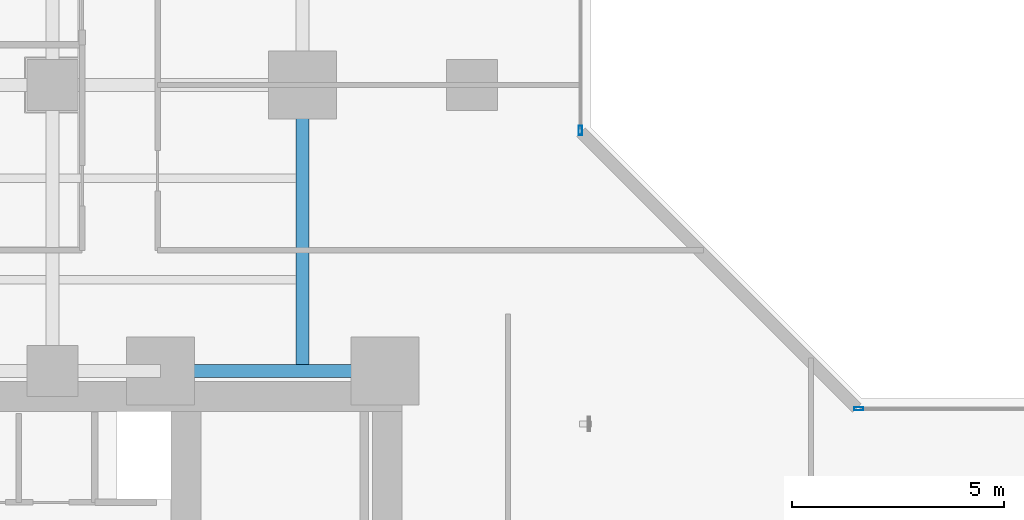
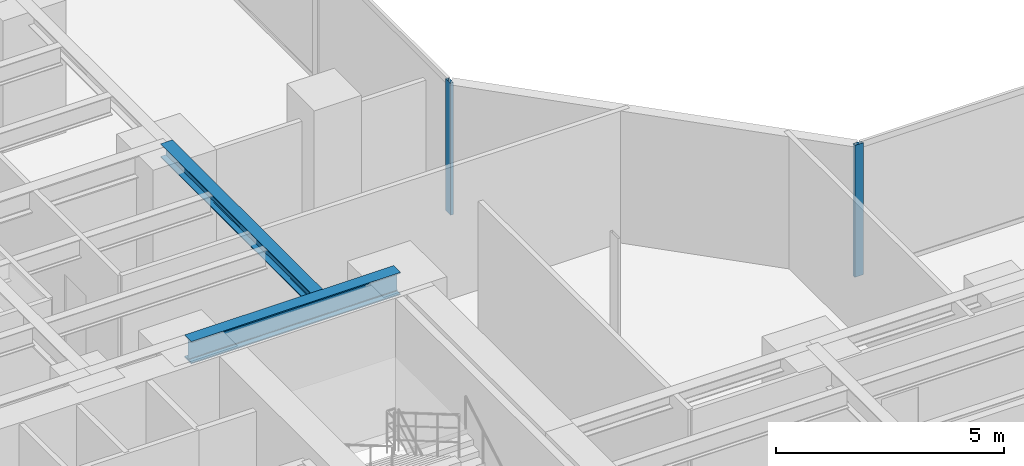
# One storey, part 8 of 26: 2 beams, 2 members, 2 elements without a shape of their own.
"""IFC4 building model written with IfcOpenShell, lengths in metres."""

from ifc_helpers import new_model, si_unit, direction, frame, origin, origin_with_axes, origin_2d, place, context, subcontext, project, spatial, hollow_rectangle, i_section, extrude, source, transform, mapped, material, layer, layer_set, material_profile, profile_set, type_object, element, aggregate, save


model = new_model("IFC4")

# Units and contexts
model_context = context("Model", 3, precision=1e-05, world=origin(), true_north=direction((0.0, 1.0)))
body_context = subcontext(model_context, "Body", "Model", "MODEL_VIEW")
ifc_project = project(units=[si_unit("LENGTHUNIT", "METRE"), si_unit("AREAUNIT", "SQUARE_METRE"), si_unit("VOLUMEUNIT", "CUBIC_METRE"), si_unit("PLANEANGLEUNIT", "RADIAN"), si_unit("MASSUNIT", "GRAM", prefix="KILO")], contexts=[model_context])

# Site, building, storey
site_placement = place(None, origin())
site = spatial("IfcSite", under=ifc_project, at=site_placement, CompositionType="ELEMENT")
building_placement = place(site_placement, origin())
building = spatial("IfcBuilding", under=site, at=building_placement, Name="Kolvaren Waterfront Exchange", CompositionType="ELEMENT")
storey_placement = place(building_placement, frame((0.0, 0.0, 48.60009765625)))
storey = spatial("IfcBuildingStorey", under=building, at=storey_placement, Name="L12", CompositionType="ELEMENT", Elevation=48.60009765625)

# Beams
ifc_material_1 = material(Name="Steel S355", Category="steel")
ifc_material_profile_1 = material_profile(ifc_material_1, i_section(OverallWidth=0.300048828125, OverallDepth=0.360107421875, WebThickness=0.012451171875, FlangeThickness=0.0224609375, FilletRadius=0.027099609375, at=origin_2d()), Name="HEB360")
ifc_profile_set_1 = profile_set([ifc_material_profile_1], Name="Steel S355")
beam_type_1 = type_object("IfcBeamType", Name="STR-BM-HEB360", PredefinedType="SPANDREL", material=ifc_profile_set_1)
beam_1_placement = place(storey_placement, frame((18.800048828125, 24.449951171875, 3.35986328125), z_axis=(0.0, 1.0, 0.0), x_axis=(-1.0, 0.0, 0.0)))
element("IfcBeam", 1, at=beam_1_placement, inside=storey, type_object=beam_type_1, Name="L12 north-arm edge beam 1", PredefinedType="SPANDREL", context=body_context, shape_type="SweptSolid", body=[
    extrude(i_section(OverallWidth=0.300048828125, OverallDepth=0.360107421875, WebThickness=0.012451171875, FlangeThickness=0.0224609375, FilletRadius=0.027099609375, at=origin_2d()), origin(), (0.0, 0.0, 1.0), 6.75),
])
ifc_material_profile_2 = material_profile(ifc_material_1, i_section(OverallWidth=0.300048828125, OverallDepth=0.60009765625, WebThickness=0.015380859375, FlangeThickness=0.030029296875, FilletRadius=0.027099609375, at=origin_2d()), Name="HEB600")
ifc_profile_set_2 = profile_set([ifc_material_profile_2], Name="Steel S355")
beam_type_2 = type_object("IfcBeamType", Name="STR-BM-HEB600", PredefinedType="BEAM", material=ifc_profile_set_2)
beam_2_placement = place(storey_placement, frame((15.449951171875, 24.449951171875, 3.239990234375), z_axis=(1.0, 0.0, 0.0), x_axis=(0.0, 1.0, 0.0)))
element("IfcBeam", 2, at=beam_2_placement, inside=storey, type_object=beam_type_2, Name="L12 north-arm girder 1C", PredefinedType="BEAM", context=body_context, shape_type="SweptSolid", body=[
    extrude(i_section(OverallWidth=0.300048828125, OverallDepth=0.60009765625, WebThickness=0.015380859375, FlangeThickness=0.030029296875, FilletRadius=0.027099609375, at=origin_2d()), origin(), (0.0, 0.0, 1.0), 5.300048828125),
])

# Curtain wall, member
ifc_material_2 = material(Name="Anodised bronze aluminium 6063-T6", Category="aluminium")
ifc_layer = layer(ifc_material_2, 0.219970703125, Name="Anodised bronze aluminium 6063-T6")
ifc_layer_set = layer_set([ifc_layer], Name="Anodised bronze aluminium 6063-T6")
curtain_wall_type = type_object("IfcCurtainWallType", Name="ARC-CW-SYS1", PredefinedType="USERDEFINED", material=ifc_layer_set)
curtain_wall_1_placement = place(storey_placement, origin())
curtain_wall_1 = element("IfcCurtainWall", 3, at=curtain_wall_1_placement, inside=storey, type_object=curtain_wall_type, Name="L12 stick curtain wall CW1 (CW-L12-NE)", ObjectType="STICK CURTAIN WALL", PredefinedType="USERDEFINED")
ifc_material_3 = material(Name="Anodised aluminium 6063-T6", Category="aluminium")
ifc_material_profile_3 = material_profile(ifc_material_3, hollow_rectangle(XDim=0.080078125, YDim=0.219970703125, WallThickness=0.0048828125, at=origin_2d()), Name="ALU-MUL-220x80x5")
ifc_profile_set_3 = profile_set([ifc_material_profile_3], Name="Anodised aluminium 6063-T6")
member_type = type_object("IfcMemberType", Name="ARC-CWM-220", PredefinedType="MULLION", material=ifc_profile_set_3)
shared_shape = source(origin_with_axes(), body_context, "Body", "SweptSolid", [
    extrude(hollow_rectangle(XDim=0.080078125, YDim=0.219970703125, WallThickness=0.0048828125, at=origin_2d()), origin(), (0.0, 0.0, 1.0), 3.539794921875),
])
member_1_placement = place(storey_placement, frame((25.360107421875, 30.1298828125, 0.0), z_axis=(0.0, 0.0, 1.0), x_axis=(-1.0, 0.0, 0.0)))
member_1 = element("IfcMember", 4, at=member_1_placement, type_object=member_type, Name="CW1 mullion 1", PredefinedType="MULLION", context=body_context, shape_type="MappedRepresentation", body=[
    mapped(shared_shape, transform((0.0, 0.0, 0.0), x_axis=(1.0, 0.0, 0.0), y_axis=(0.0, 1.0, 0.0), z_axis=(0.0, 0.0, 1.0), scale=1.0)),
])
aggregate(curtain_wall_1, [member_1])

curtain_wall_2_placement = place(storey_placement, origin())
curtain_wall_2 = element("IfcCurtainWall", 5, at=curtain_wall_2_placement, inside=storey, type_object=curtain_wall_type, Name="L12 stick curtain wall CW1 (CW-L12-EN)", ObjectType="STICK CURTAIN WALL", PredefinedType="USERDEFINED")
member_2_placement = place(storey_placement, frame((31.929931640625, 23.56005859375, 0.0), z_axis=(0.0, 0.0, 1.0), x_axis=(0.0, 1.0, 0.0)))
member_2 = element("IfcMember", 6, at=member_2_placement, type_object=member_type, Name="CW1 mullion 1", PredefinedType="MULLION", context=body_context, shape_type="MappedRepresentation", body=[
    mapped(shared_shape, transform((0.0, 0.0, 0.0), x_axis=(1.0, 0.0, 0.0), y_axis=(0.0, 1.0, 0.0), z_axis=(0.0, 0.0, 1.0), scale=1.0)),
])
aggregate(curtain_wall_2, [member_2])

save(model, "model.ifc")
